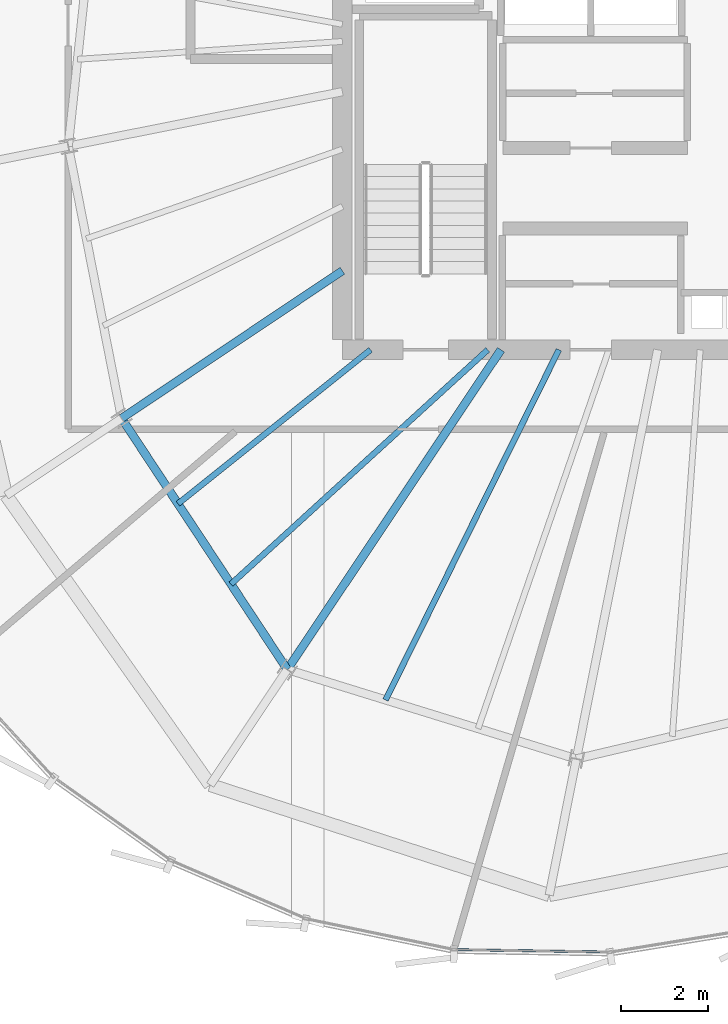
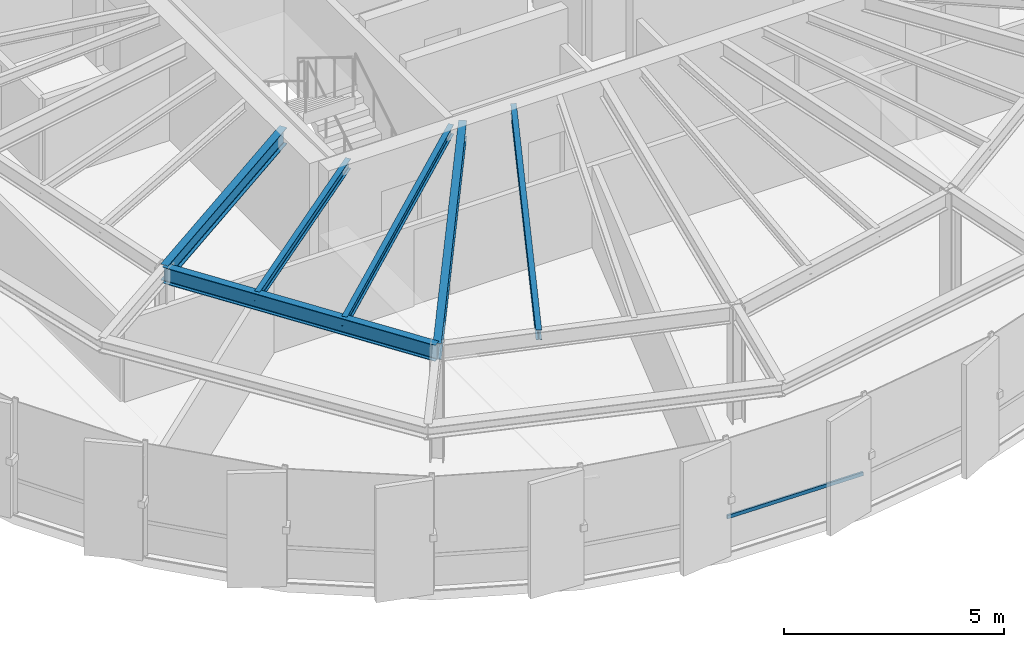
# One storey, part 5 of 34: 6 beams, 1 member, 1 element without a shape of its own.
"""IFC4 building model written with IfcOpenShell, lengths in metres."""

from ifc_helpers import new_model, si_unit, direction, frame, origin, origin_2d, place, context, subcontext, project, spatial, hollow_rectangle, i_section, extrude, source, transform, mapped, material, layer, layer_set, material_profile, profile_set, type_object, element, aggregate, save


model = new_model("IFC4")

# Units and contexts
model_context = context("Model", 3, precision=1e-05, world=origin(), true_north=direction((0.0, 1.0)))
body_context = subcontext(model_context, "Body", "Model", "MODEL_VIEW")
ifc_project = project(units=[si_unit("LENGTHUNIT", "METRE"), si_unit("AREAUNIT", "SQUARE_METRE"), si_unit("VOLUMEUNIT", "CUBIC_METRE"), si_unit("PLANEANGLEUNIT", "RADIAN"), si_unit("MASSUNIT", "GRAM", prefix="KILO"), si_unit("THERMODYNAMICTEMPERATUREUNIT", "KELVIN")], contexts=[model_context])

# Site, building, storey
site_placement = place(None, origin())
site = spatial("IfcSite", under=ifc_project, at=site_placement, CompositionType="ELEMENT")
building_placement = place(site_placement, origin())
building = spatial("IfcBuilding", under=site, at=building_placement, Name="Kethvar Cultural Tower", CompositionType="ELEMENT")
storey_placement = place(building_placement, frame((0.0, 0.0, 231.85009765625)))
storey = spatial("IfcBuildingStorey", under=building, at=storey_placement, Name="L60", CompositionType="ELEMENT", Elevation=231.85009765625)

# Beams
ifc_material_1 = material(Name="Steel S355J2", Category="steel")
ifc_material_profile_1 = material_profile(ifc_material_1, i_section(OverallWidth=0.18994140625, OverallDepth=0.449951171875, WebThickness=0.009521484375, FlangeThickness=0.0146484375, FilletRadius=0.02099609375, at=origin_2d()), Name="Steel S355J2 — IPE450")
ifc_profile_set_1 = profile_set([ifc_material_profile_1], Name="Steel S355J2 — IPE450")
beam_type_1 = type_object("IfcBeamType", Name="BM-IPE450", PredefinedType="BEAM", material=ifc_profile_set_1)
shared_shape_1 = source(origin(), body_context, "Body", "SweptSolid", [
    extrude(i_section(OverallWidth=0.18994140625, OverallDepth=0.449951171875, WebThickness=0.009521484375, FlangeThickness=0.0146484375, FilletRadius=0.02099609375, at=origin_2d()), origin(), (0.0, 0.0, 1.0), 6.118408203125),
])
beam_1_placement = place(storey_placement, frame((38.0, 21.920166015625, 2.98291015625), z_axis=(-0.831466631282, -0.555574694406, 0.0), x_axis=(0.555574694406, -0.831466631282, 0.0)))
element("IfcBeam", 1, at=beam_1_placement, inside=storey, type_object=beam_type_1, Name="L60 Primary Radial Beam RB-10", PredefinedType="BEAM", context=body_context, shape_type="MappedRepresentation", body=[
    mapped(shared_shape_1, transform((0.0, 0.0, 0.0), scale=1.0)),
])
shared_shape_2 = source(origin(), body_context, "Body", "SweptSolid", [
    extrude(i_section(OverallWidth=0.18994140625, OverallDepth=0.449951171875, WebThickness=0.009521484375, FlangeThickness=0.0146484375, FilletRadius=0.02099609375, at=origin_2d()), origin(), (0.0, 0.0, 1.0), 8.86279296875),
])
beam_2_placement = place(storey_placement, frame((41.655029296875, 20.10009765625, 2.98291015625), z_axis=(-0.555564443415, -0.831473480764, 0.0), x_axis=(0.831473480764, -0.555564443415, 0.0)))
element("IfcBeam", 2, at=beam_2_placement, inside=storey, type_object=beam_type_1, Name="L60 Primary Radial Beam RB-11", PredefinedType="BEAM", context=body_context, shape_type="MappedRepresentation", body=[
    mapped(shared_shape_2, transform((0.0, 0.0, 0.0), scale=1.0)),
])
shared_shape_3 = source(origin(), body_context, "Body", "SweptSolid", [
    extrude(i_section(OverallWidth=0.18994140625, OverallDepth=0.449951171875, WebThickness=0.009521484375, FlangeThickness=0.0146484375, FilletRadius=0.02099609375, at=origin_2d()), origin(), (0.0, 0.0, 1.0), 6.935791015625),
])
beam_3_placement = place(storey_placement, frame((32.912841796875, 18.52099609375, 2.98291015625), z_axis=(0.550534204139, -0.834812607759, 0.0), x_axis=(0.834812607759, 0.550534204139, 0.0)))
element("IfcBeam", 3, at=beam_3_placement, inside=storey, type_object=beam_type_1, Name="L60 Column Ring Tie Beam CR-10", PredefinedType="BEAM", context=body_context, shape_type="MappedRepresentation", body=[
    mapped(shared_shape_3, transform((0.0, 0.0, 0.0), scale=1.0)),
])
ifc_material_profile_2 = material_profile(ifc_material_1, i_section(OverallWidth=0.135009765625, OverallDepth=0.27001953125, WebThickness=0.006591796875, FlangeThickness=0.01025390625, FilletRadius=0.014892578125, at=origin_2d()), Name="Steel S355J2 — IPE270")
ifc_profile_set_2 = profile_set([ifc_material_profile_2], Name="Steel S355J2 — IPE270")
beam_type_2 = type_object("IfcBeamType", Name="BM-J270", PredefinedType="JOIST", material=ifc_profile_set_2)
shared_shape_4 = source(origin(), body_context, "Body", "SweptSolid", [
    extrude(i_section(OverallWidth=0.135009765625, OverallDepth=0.27001953125, WebThickness=0.006591796875, FlangeThickness=0.01025390625, FilletRadius=0.014892578125, at=origin_2d()), origin(), (0.0, 0.0, 1.0), 5.68212890625),
])
beam_4_placement = place(storey_placement, frame((38.64990234375, 20.10009765625, 3.072998046875), z_axis=(-0.781157957733, -0.624333440615, 0.0), x_axis=(0.624333440615, -0.781157957733, 0.0)))
element("IfcBeam", 4, at=beam_4_placement, inside=storey, type_object=beam_type_2, Name="L60 Composite Floor Joist J-10A", PredefinedType="JOIST", context=body_context, shape_type="MappedRepresentation", body=[
    mapped(shared_shape_4, transform((0.0, 0.0, 0.0), scale=1.0)),
])
shared_shape_5 = source(origin(), body_context, "Body", "SweptSolid", [
    extrude(i_section(OverallWidth=0.135009765625, OverallDepth=0.27001953125, WebThickness=0.006591796875, FlangeThickness=0.01025390625, FilletRadius=0.014892578125, at=origin_2d()), origin(), (0.0, 0.0, 1.0), 8.010986328125),
])
beam_5_placement = place(storey_placement, frame((41.35009765625, 20.10009765625, 3.072998046875), z_axis=(-0.738614798856, -0.674127717061, 0.0), x_axis=(0.674127717061, -0.738614798856, 0.0)))
element("IfcBeam", 5, at=beam_5_placement, inside=storey, type_object=beam_type_2, Name="L60 Composite Floor Joist J-10B", PredefinedType="JOIST", context=body_context, shape_type="MappedRepresentation", body=[
    mapped(shared_shape_5, transform((0.0, 0.0, 0.0), scale=1.0)),
])
shared_shape_6 = source(origin(), body_context, "Body", "SweptSolid", [
    extrude(i_section(OverallWidth=0.135009765625, OverallDepth=0.27001953125, WebThickness=0.006591796875, FlangeThickness=0.01025390625, FilletRadius=0.014892578125, at=origin_2d()), origin(), (0.0, 0.0, 1.0), 9.00341796875),
])
beam_6_placement = place(storey_placement, frame((42.989501953125, 20.10009765625, 3.072998046875), z_axis=(-0.443543695319, -0.896252749141, 0.0), x_axis=(0.896252749141, -0.443543695319, 0.0)))
element("IfcBeam", 6, at=beam_6_placement, inside=storey, type_object=beam_type_2, Name="L60 Composite Floor Joist J-11A", PredefinedType="JOIST", context=body_context, shape_type="MappedRepresentation", body=[
    mapped(shared_shape_6, transform((0.0, 0.0, 0.0), scale=1.0)),
])

# Curtain wall, member
ifc_material_2 = material(Name="Aluminium 6063-T6", Category="aluminium")
ifc_layer = layer(ifc_material_2, 0.179931640625, Name="Aluminium 6063-T6", Category="aluminium")
ifc_layer_set = layer_set([ifc_layer], Name="Aluminium 6063-T6 (180 mm)")
curtain_wall_type = type_object("IfcCurtainWallType", Name="CW-SYS-05-Z56", PredefinedType="NOTDEFINED", material=ifc_layer_set)
curtain_wall_placement = place(storey_placement, origin())
curtain_wall = element("IfcCurtainWall", 7, at=curtain_wall_placement, inside=storey, type_object=curtain_wall_type, Name="L60 Curtain Wall Run 04", PredefinedType="NOTDEFINED")
ifc_material_profile_3 = material_profile(ifc_material_2, hollow_rectangle(XDim=0.050048828125, YDim=0.10009765625, WallThickness=0.00390625, at=origin_2d()), Name="Aluminium 6063-T6 — RHS100x50x4")
ifc_profile_set_3 = profile_set([ifc_material_profile_3], Name="Aluminium 6063-T6 — RHS100x50x4")
member_type = type_object("IfcMemberType", Name="CW-SYS-05-Z56-TRN", PredefinedType="USERDEFINED", material=ifc_profile_set_3)
shared_shape_7 = source(origin(), body_context, "Body", "SweptSolid", [
    extrude(hollow_rectangle(XDim=0.050048828125, YDim=0.10009765625, WallThickness=0.00390625, at=origin_2d()), origin(), (0.0, 0.0, 1.0), 3.536376953125),
])
member_placement = place(storey_placement, frame((40.611328125, 6.276123046875, 0.949951171875), z_axis=(0.999877192568, -0.01567162347, 0.0), x_axis=(0.01567162347, 0.999877192568, 0.0)))
member = element("IfcMember", 8, at=member_placement, type_object=member_type, Name="CW-L60-R04 Transom 4", ObjectType="TRANSOM", PredefinedType="USERDEFINED", context=body_context, shape_type="MappedRepresentation", body=[
    mapped(shared_shape_7, transform((0.0, 0.0, 0.0), scale=1.0)),
])
aggregate(curtain_wall, [member])

save(model, "model.ifc")
